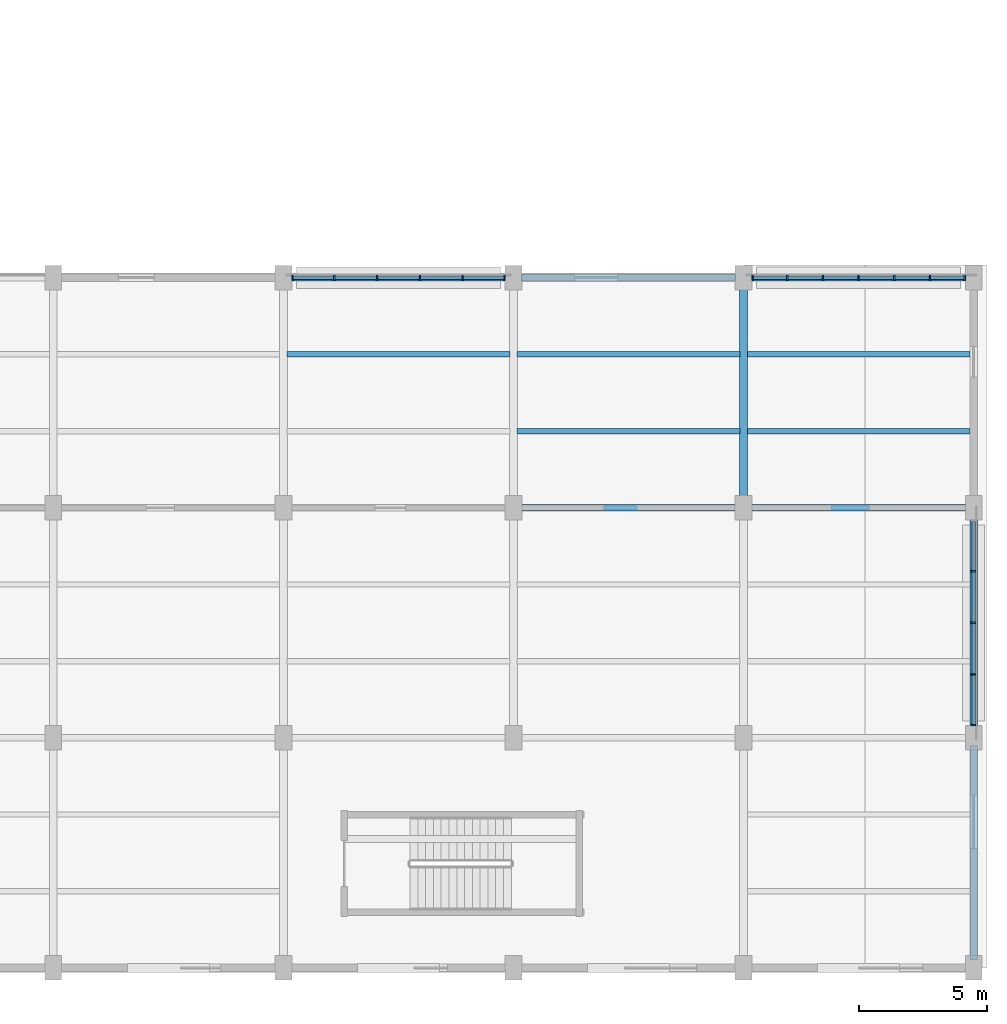
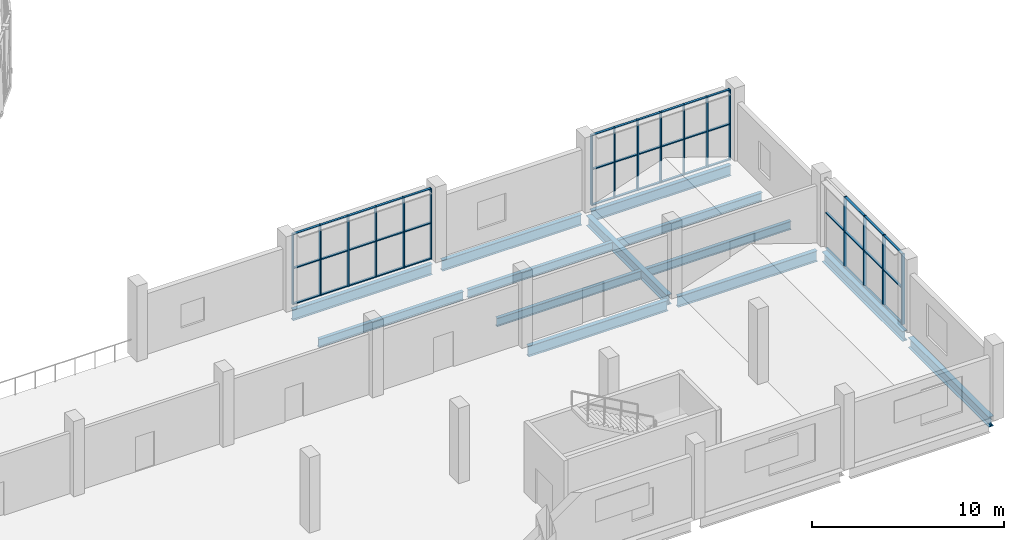
# One storey, part 37 of 179: 61 members, 13 beams, 3 elements without a shape of their own.
"""IFC4 building model written with IfcOpenShell, lengths in metres."""

from ifc_helpers import new_model, si_unit, direction, frame, origin, origin_2d, place, context, subcontext, project, spatial, rectangle, i_section, extrude, material, material_profile, profile_set, type_object, element, aggregate, save


model = new_model("IFC4")

# Units and contexts
model_context = context("Model", 3, precision=1e-05, world=origin(), true_north=direction((0.0, 1.0)))
body_context = subcontext(model_context, "Body", "Model", "MODEL_VIEW")
ifc_project = project(units=[si_unit("LENGTHUNIT", "METRE"), si_unit("AREAUNIT", "SQUARE_METRE"), si_unit("VOLUMEUNIT", "CUBIC_METRE"), si_unit("PLANEANGLEUNIT", "RADIAN"), si_unit("MASSUNIT", "GRAM", prefix="KILO")], contexts=[model_context])

# Site, building, storey
site_placement = place(None, origin())
site = spatial("IfcSite", under=ifc_project, at=site_placement, CompositionType="ELEMENT")
building_placement = place(site_placement, origin())
building = spatial("IfcBuilding", under=site, at=building_placement, Name="Zevraka Park Crest Stadium", CompositionType="ELEMENT")
storey_placement = place(building_placement, frame((0.0, 0.0, 10.199951171875)))
storey = spatial("IfcBuildingStorey", under=building, at=storey_placement, Name="L02", CompositionType="ELEMENT", Elevation=10.199951171875)

# Beams
ifc_material_1 = material(Name="Steel S355", Category="steel")
ifc_material_profile_1 = material_profile(ifc_material_1, i_section(OverallWidth=0.253662109375, OverallDepth=0.68359375, WebThickness=0.012451171875, FlangeThickness=0.01904296875, at=origin_2d()), Name="UKB 686x254x140")
ifc_profile_set_1 = profile_set([ifc_material_profile_1], Name="Steel S355")
beam_type_1 = type_object("IfcBeamType", Name="BG05", PredefinedType="BEAM", material=ifc_profile_set_1)
for number, where, z_axis, x_axis, name in (
    (1, (197.300048828125, 27.0, -0.629638671875), (1.0, 0.0, 0.0), (0.0, 1.0, 0.0), "Wing Girder BG05 L02-2223/D"),
    (2, (206.300048828125, 18.0, -0.629638671875), (1.0, 0.0, 0.0), (0.0, 1.0, 0.0), "Wing Girder BG05 L02-2324/C"),
    (3, (206.300048828125, 27.0, -0.629638671875), (1.0, 0.0, 0.0), (0.0, 1.0, 0.0), "Wing Girder BG05 L02-2324/D"),
    (4, (215.300048828125, 18.0, -0.629638671875), (1.0, 0.0, 0.0), (0.0, 1.0, 0.0), "Wing Girder BG05 L02-2425/C"),
    (5, (215.300048828125, 27.0, -0.629638671875), (1.0, 0.0, 0.0), (0.0, 1.0, 0.0), "Wing Girder BG05 L02-2425/D"),
):
    element("IfcBeam", number, at=place(storey_placement, frame(where, z_axis=z_axis, x_axis=x_axis)), inside=storey, type_object=beam_type_1, Name=name, PredefinedType="BEAM", context=body_context, shape_type="SweptSolid", body=[
        extrude(i_section(OverallWidth=0.253662109375, OverallDepth=0.68359375, WebThickness=0.012451171875, FlangeThickness=0.01904296875, at=origin_2d()), origin(), (0.0, 0.0, 1.0), 8.39990234375),
    ])
ifc_material_2 = material(Name="Steel S355", Category="steel")
ifc_material_profile_2 = material_profile(ifc_material_2, i_section(OverallWidth=0.300048828125, OverallDepth=0.64990234375, WebThickness=0.01611328125, FlangeThickness=0.031005859375, at=origin_2d()), Name="HEB 650")
ifc_profile_set_2 = profile_set([ifc_material_profile_2], Name="Steel S355")
beam_type_2 = type_object("IfcBeamType", Name="BG07", PredefinedType="BEAM", material=ifc_profile_set_2)
for number, where, z_axis, x_axis, name in (
    (6, (215.0, 18.300048828125, -0.613037109375), (0.0, 1.0, 0.0), (-1.0, 0.0, 0.0), "Wing Girder BG07 L02-24/CD"),
    (7, (224.0, 0.300048828125, -0.613037109375), (0.0, 1.0, 0.0), (-1.0, 0.0, 0.0), "Wing Girder BG07 L02-25/AB"),
    (8, (224.0, 9.300048828125, -0.613037109375), (0.0, 1.0, 0.0), (-1.0, 0.0, 0.0), "Wing Girder BG07 L02-25/BC"),
):
    element("IfcBeam", number, at=place(storey_placement, frame(where, z_axis=z_axis, x_axis=x_axis)), inside=storey, type_object=beam_type_2, Name=name, PredefinedType="BEAM", context=body_context, shape_type="SweptSolid", body=[
        extrude(i_section(OverallWidth=0.300048828125, OverallDepth=0.64990234375, WebThickness=0.01611328125, FlangeThickness=0.031005859375, at=origin_2d()), origin(), (0.0, 0.0, 1.0), 8.39990234375),
    ])

# Curtain wall, members
ifc_material_3 = material(Name="Anodised architectural aluminium and laminated safety glass", Category="aluminium")
curtain_wall_type_1 = type_object("IfcCurtainWallType", Name="CW29", PredefinedType="NOTDEFINED", material=ifc_material_3)
curtain_wall_1_placement = place(storey_placement, origin())
curtain_wall_1 = element("IfcCurtainWall", 9, at=curtain_wall_1_placement, inside=storey, type_object=curtain_wall_type_1, Name="Wing Curtain Wall CW29 L02-SE-E-2", PredefinedType="NOTDEFINED")
ifc_material_4 = material(Name="Anodised architectural aluminium", Category="aluminium")
ifc_material_profile_3 = material_profile(ifc_material_4, rectangle(XDim=0.179931640625, YDim=0.06494140625, at=origin_2d()), Name="ALU MULLION 180x65")
ifc_profile_set_3 = profile_set([ifc_material_profile_3], Name="Anodised architectural aluminium")
member_type_1 = type_object("IfcMemberType", Name="CM02", PredefinedType="MULLION", material=ifc_profile_set_3)
member_1_placement = place(storey_placement, frame((224.0, 15.517578125, 0.0), z_axis=(0.0, 0.0, 1.0), x_axis=(1.0, 0.0, 0.0)))
member_1 = element("IfcMember", 10, at=member_1_placement, type_object=member_type_1, Name="CW29 mullion 2", PredefinedType="MULLION", context=body_context, shape_type="SweptSolid", body=[
    extrude(rectangle(XDim=0.179931640625, YDim=0.06494140625, at=origin_2d()), origin(), (0.0, 0.0, 1.0), 4.5),
])
member_2_placement = place(storey_placement, frame((224.0, 13.5, 0.0), z_axis=(0.0, 0.0, 1.0), x_axis=(1.0, 0.0, 0.0)))
member_2 = element("IfcMember", 11, at=member_2_placement, type_object=member_type_1, Name="CW29 mullion 3", PredefinedType="MULLION", context=body_context, shape_type="SweptSolid", body=[
    extrude(rectangle(XDim=0.179931640625, YDim=0.06494140625, at=origin_2d()), origin(), (0.0, 0.0, 1.0), 4.5),
])
member_3_placement = place(storey_placement, frame((224.0, 11.482421875, 0.0), z_axis=(0.0, 0.0, 1.0), x_axis=(1.0, 0.0, 0.0)))
member_3 = element("IfcMember", 12, at=member_3_placement, type_object=member_type_1, Name="CW29 mullion 4", PredefinedType="MULLION", context=body_context, shape_type="SweptSolid", body=[
    extrude(rectangle(XDim=0.179931640625, YDim=0.06494140625, at=origin_2d()), origin(), (0.0, 0.0, 1.0), 4.5),
])
member_4_placement = place(storey_placement, frame((224.0, 9.49755859375, 0.0), z_axis=(0.0, 0.0, 1.0), x_axis=(1.0, 0.0, 0.0)))
member_4 = element("IfcMember", 13, at=member_4_placement, type_object=member_type_1, Name="CW29 mullion 5", PredefinedType="MULLION", context=body_context, shape_type="SweptSolid", body=[
    extrude(rectangle(XDim=0.179931640625, YDim=0.06494140625, at=origin_2d()), origin(), (0.0, 0.0, 1.0), 4.5),
])

curtain_wall_2_placement = place(storey_placement, origin())
curtain_wall_2 = element("IfcCurtainWall", 14, at=curtain_wall_2_placement, inside=storey, type_object=curtain_wall_type_1, Name="Wing Curtain Wall CW29 L02-SE-N-2", PredefinedType="NOTDEFINED")
member_5_placement = place(storey_placement, frame((197.347412109375, 27.0, 0.0), z_axis=(0.0, 0.0, 1.0), x_axis=(0.0, 1.0, 0.0)))
member_5 = element("IfcMember", 15, at=member_5_placement, type_object=member_type_1, Name="CW29 mullion 1", PredefinedType="MULLION", context=body_context, shape_type="SweptSolid", body=[
    extrude(rectangle(XDim=0.179931640625, YDim=0.06494140625, at=origin_2d()), origin(), (0.0, 0.0, 1.0), 4.5),
])
member_6_placement = place(storey_placement, frame((198.989013671875, 27.0, 0.0), z_axis=(0.0, 0.0, 1.0), x_axis=(0.0, 1.0, 0.0)))
member_6 = element("IfcMember", 16, at=member_6_placement, type_object=member_type_1, Name="CW29 mullion 2", PredefinedType="MULLION", context=body_context, shape_type="SweptSolid", body=[
    extrude(rectangle(XDim=0.179931640625, YDim=0.06494140625, at=origin_2d()), origin(), (0.0, 0.0, 1.0), 4.5),
])
member_7_placement = place(storey_placement, frame((200.6630859375, 27.0, 0.0), z_axis=(0.0, 0.0, 1.0), x_axis=(0.0, 1.0, 0.0)))
member_7 = element("IfcMember", 17, at=member_7_placement, type_object=member_type_1, Name="CW29 mullion 3", PredefinedType="MULLION", context=body_context, shape_type="SweptSolid", body=[
    extrude(rectangle(XDim=0.179931640625, YDim=0.06494140625, at=origin_2d()), origin(), (0.0, 0.0, 1.0), 4.5),
])
member_8_placement = place(storey_placement, frame((202.3369140625, 27.0, 0.0), z_axis=(0.0, 0.0, 1.0), x_axis=(0.0, 1.0, 0.0)))
member_8 = element("IfcMember", 18, at=member_8_placement, type_object=member_type_1, Name="CW29 mullion 4", PredefinedType="MULLION", context=body_context, shape_type="SweptSolid", body=[
    extrude(rectangle(XDim=0.179931640625, YDim=0.06494140625, at=origin_2d()), origin(), (0.0, 0.0, 1.0), 4.5),
])
member_9_placement = place(storey_placement, frame((204.010986328125, 27.0, 0.0), z_axis=(0.0, 0.0, 1.0), x_axis=(0.0, 1.0, 0.0)))
member_9 = element("IfcMember", 19, at=member_9_placement, type_object=member_type_1, Name="CW29 mullion 5", PredefinedType="MULLION", context=body_context, shape_type="SweptSolid", body=[
    extrude(rectangle(XDim=0.179931640625, YDim=0.06494140625, at=origin_2d()), origin(), (0.0, 0.0, 1.0), 4.5),
])
member_10_placement = place(storey_placement, frame((205.652587890625, 27.0, 0.0), z_axis=(0.0, 0.0, 1.0), x_axis=(0.0, 1.0, 0.0)))
member_10 = element("IfcMember", 20, at=member_10_placement, type_object=member_type_1, Name="CW29 mullion 6", PredefinedType="MULLION", context=body_context, shape_type="SweptSolid", body=[
    extrude(rectangle(XDim=0.179931640625, YDim=0.06494140625, at=origin_2d()), origin(), (0.0, 0.0, 1.0), 4.5),
])

ifc_material_5 = material(Name="Anodised architectural aluminium and laminated safety glass", Category="aluminium")
curtain_wall_type_2 = type_object("IfcCurtainWallType", Name="CW26", PredefinedType="NOTDEFINED", material=ifc_material_5)
curtain_wall_3_placement = place(storey_placement, origin())
curtain_wall_3 = element("IfcCurtainWall", 21, at=curtain_wall_3_placement, inside=storey, type_object=curtain_wall_type_2, Name="Wing Curtain Wall CW26 L02-SE-N-4", PredefinedType="NOTDEFINED")
member_11_placement = place(storey_placement, frame((215.347412109375, 27.0, 0.0), z_axis=(0.0, 0.0, 1.0), x_axis=(0.0, 1.0, 0.0)))
member_11 = element("IfcMember", 22, at=member_11_placement, type_object=member_type_1, Name="CW26 mullion 1", PredefinedType="MULLION", context=body_context, shape_type="SweptSolid", body=[
    extrude(rectangle(XDim=0.179931640625, YDim=0.06494140625, at=origin_2d()), origin(), (0.0, 0.0, 1.0), 4.5),
])
member_12_placement = place(storey_placement, frame((216.7099609375, 27.0, 0.0), z_axis=(0.0, 0.0, 1.0), x_axis=(0.0, 1.0, 0.0)))
member_12 = element("IfcMember", 23, at=member_12_placement, type_object=member_type_1, Name="CW26 mullion 2", PredefinedType="MULLION", context=body_context, shape_type="SweptSolid", body=[
    extrude(rectangle(XDim=0.179931640625, YDim=0.06494140625, at=origin_2d()), origin(), (0.0, 0.0, 1.0), 4.5),
])
member_13_placement = place(storey_placement, frame((218.10498046875, 27.0, 0.0), z_axis=(0.0, 0.0, 1.0), x_axis=(0.0, 1.0, 0.0)))
member_13 = element("IfcMember", 24, at=member_13_placement, type_object=member_type_1, Name="CW26 mullion 3", PredefinedType="MULLION", context=body_context, shape_type="SweptSolid", body=[
    extrude(rectangle(XDim=0.179931640625, YDim=0.06494140625, at=origin_2d()), origin(), (0.0, 0.0, 1.0), 4.5),
])
member_14_placement = place(storey_placement, frame((219.5, 27.0, 0.0), z_axis=(0.0, 0.0, 1.0), x_axis=(0.0, 1.0, 0.0)))
member_14 = element("IfcMember", 25, at=member_14_placement, type_object=member_type_1, Name="CW26 mullion 4", PredefinedType="MULLION", context=body_context, shape_type="SweptSolid", body=[
    extrude(rectangle(XDim=0.179931640625, YDim=0.06494140625, at=origin_2d()), origin(), (0.0, 0.0, 1.0), 4.5),
])
member_15_placement = place(storey_placement, frame((220.89501953125, 27.0, 0.0), z_axis=(0.0, 0.0, 1.0), x_axis=(0.0, 1.0, 0.0)))
member_15 = element("IfcMember", 26, at=member_15_placement, type_object=member_type_1, Name="CW26 mullion 5", PredefinedType="MULLION", context=body_context, shape_type="SweptSolid", body=[
    extrude(rectangle(XDim=0.179931640625, YDim=0.06494140625, at=origin_2d()), origin(), (0.0, 0.0, 1.0), 4.5),
])
member_16_placement = place(storey_placement, frame((222.2900390625, 27.0, 0.0), z_axis=(0.0, 0.0, 1.0), x_axis=(0.0, 1.0, 0.0)))
member_16 = element("IfcMember", 27, at=member_16_placement, type_object=member_type_1, Name="CW26 mullion 6", PredefinedType="MULLION", context=body_context, shape_type="SweptSolid", body=[
    extrude(rectangle(XDim=0.179931640625, YDim=0.06494140625, at=origin_2d()), origin(), (0.0, 0.0, 1.0), 4.5),
])
member_17_placement = place(storey_placement, frame((223.652587890625, 27.0, 0.0), z_axis=(0.0, 0.0, 1.0), x_axis=(0.0, 1.0, 0.0)))
member_17 = element("IfcMember", 28, at=member_17_placement, type_object=member_type_1, Name="CW26 mullion 7", PredefinedType="MULLION", context=body_context, shape_type="SweptSolid", body=[
    extrude(rectangle(XDim=0.179931640625, YDim=0.06494140625, at=origin_2d()), origin(), (0.0, 0.0, 1.0), 4.5),
])

# Member
ifc_material_6 = material(Name="Anodised architectural aluminium", Category="aluminium")
ifc_material_profile_4 = material_profile(ifc_material_6, rectangle(XDim=0.139892578125, YDim=0.06494140625, at=origin_2d()), Name="ALU TRANSOM 140x65")
ifc_profile_set_4 = profile_set([ifc_material_profile_4], Name="Anodised architectural aluminium")
member_type_2 = type_object("IfcMemberType", Name="CT02", PredefinedType="USERDEFINED", material=ifc_profile_set_4)
member_18_placement = place(storey_placement, frame((224.0, 17.469970703125, 0.032470703125), z_axis=(0.0, -1.0, 0.0), x_axis=(1.0, 0.0, 0.0)))
member_18 = element("IfcMember", 29, at=member_18_placement, type_object=member_type_2, Name="CW29 transom 1.1", ObjectType="TRANSOM", PredefinedType="USERDEFINED", context=body_context, shape_type="SweptSolid", body=[
    extrude(rectangle(XDim=0.139892578125, YDim=0.06494140625, at=origin_2d()), origin(), (0.0, 0.0, 1.0), 1.919921875),
])

member_19_placement = place(storey_placement, frame((224.0, 17.469970703125, 2.300048828125), z_axis=(0.0, -1.0, 0.0), x_axis=(1.0, 0.0, 0.0)))
member_19 = element("IfcMember", 30, at=member_19_placement, type_object=member_type_2, Name="CW29 transom 1.2", ObjectType="TRANSOM", PredefinedType="USERDEFINED", context=body_context, shape_type="SweptSolid", body=[
    extrude(rectangle(XDim=0.139892578125, YDim=0.06494140625, at=origin_2d()), origin(), (0.0, 0.0, 1.0), 1.919921875),
])

member_20_placement = place(storey_placement, frame((224.0, 15.485107421875, 0.032470703125), z_axis=(0.0, -1.0, 0.0), x_axis=(1.0, 0.0, 0.0)))
member_20 = element("IfcMember", 31, at=member_20_placement, type_object=member_type_2, Name="CW29 transom 2.1", ObjectType="TRANSOM", PredefinedType="USERDEFINED", context=body_context, shape_type="SweptSolid", body=[
    extrude(rectangle(XDim=0.139892578125, YDim=0.06494140625, at=origin_2d()), origin(), (0.0, 0.0, 1.0), 1.95263671875),
])

member_21_placement = place(storey_placement, frame((224.0, 15.485107421875, 2.300048828125), z_axis=(0.0, -1.0, 0.0), x_axis=(1.0, 0.0, 0.0)))
member_21 = element("IfcMember", 32, at=member_21_placement, type_object=member_type_2, Name="CW29 transom 2.2", ObjectType="TRANSOM", PredefinedType="USERDEFINED", context=body_context, shape_type="SweptSolid", body=[
    extrude(rectangle(XDim=0.139892578125, YDim=0.06494140625, at=origin_2d()), origin(), (0.0, 0.0, 1.0), 1.95263671875),
])

member_22_placement = place(storey_placement, frame((224.0, 15.485107421875, 4.467529296875), z_axis=(0.0, -1.0, 0.0), x_axis=(1.0, 0.0, 0.0)))
member_22 = element("IfcMember", 33, at=member_22_placement, type_object=member_type_2, Name="CW29 transom 2.3", ObjectType="TRANSOM", PredefinedType="USERDEFINED", context=body_context, shape_type="SweptSolid", body=[
    extrude(rectangle(XDim=0.139892578125, YDim=0.06494140625, at=origin_2d()), origin(), (0.0, 0.0, 1.0), 1.95263671875),
])

member_23_placement = place(storey_placement, frame((224.0, 13.467529296875, 0.032470703125), z_axis=(0.0, -1.0, 0.0), x_axis=(1.0, 0.0, 0.0)))
member_23 = element("IfcMember", 34, at=member_23_placement, type_object=member_type_2, Name="CW29 transom 3.1", ObjectType="TRANSOM", PredefinedType="USERDEFINED", context=body_context, shape_type="SweptSolid", body=[
    extrude(rectangle(XDim=0.139892578125, YDim=0.06494140625, at=origin_2d()), origin(), (0.0, 0.0, 1.0), 1.95263671875),
])

member_24_placement = place(storey_placement, frame((224.0, 13.467529296875, 2.300048828125), z_axis=(0.0, -1.0, 0.0), x_axis=(1.0, 0.0, 0.0)))
member_24 = element("IfcMember", 35, at=member_24_placement, type_object=member_type_2, Name="CW29 transom 3.2", ObjectType="TRANSOM", PredefinedType="USERDEFINED", context=body_context, shape_type="SweptSolid", body=[
    extrude(rectangle(XDim=0.139892578125, YDim=0.06494140625, at=origin_2d()), origin(), (0.0, 0.0, 1.0), 1.95263671875),
])

member_25_placement = place(storey_placement, frame((224.0, 13.467529296875, 4.467529296875), z_axis=(0.0, -1.0, 0.0), x_axis=(1.0, 0.0, 0.0)))
member_25 = element("IfcMember", 36, at=member_25_placement, type_object=member_type_2, Name="CW29 transom 3.3", ObjectType="TRANSOM", PredefinedType="USERDEFINED", context=body_context, shape_type="SweptSolid", body=[
    extrude(rectangle(XDim=0.139892578125, YDim=0.06494140625, at=origin_2d()), origin(), (0.0, 0.0, 1.0), 1.95263671875),
])

member_26_placement = place(storey_placement, frame((224.0, 11.449951171875, 0.032470703125), z_axis=(0.0, -1.0, 0.0), x_axis=(1.0, 0.0, 0.0)))
member_26 = element("IfcMember", 37, at=member_26_placement, type_object=member_type_2, Name="CW29 transom 4.1", ObjectType="TRANSOM", PredefinedType="USERDEFINED", context=body_context, shape_type="SweptSolid", body=[
    extrude(rectangle(XDim=0.139892578125, YDim=0.06494140625, at=origin_2d()), origin(), (0.0, 0.0, 1.0), 1.919921875),
])

member_27_placement = place(storey_placement, frame((224.0, 11.449951171875, 2.300048828125), z_axis=(0.0, -1.0, 0.0), x_axis=(1.0, 0.0, 0.0)))
member_27 = element("IfcMember", 38, at=member_27_placement, type_object=member_type_2, Name="CW29 transom 4.2", ObjectType="TRANSOM", PredefinedType="USERDEFINED", context=body_context, shape_type="SweptSolid", body=[
    extrude(rectangle(XDim=0.139892578125, YDim=0.06494140625, at=origin_2d()), origin(), (0.0, 0.0, 1.0), 1.919921875),
])

member_28_placement = place(storey_placement, frame((224.0, 11.449951171875, 4.467529296875), z_axis=(0.0, -1.0, 0.0), x_axis=(1.0, 0.0, 0.0)))
member_28 = element("IfcMember", 39, at=member_28_placement, type_object=member_type_2, Name="CW29 transom 4.3", ObjectType="TRANSOM", PredefinedType="USERDEFINED", context=body_context, shape_type="SweptSolid", body=[
    extrude(rectangle(XDim=0.139892578125, YDim=0.06494140625, at=origin_2d()), origin(), (0.0, 0.0, 1.0), 1.919921875),
])

aggregate(curtain_wall_1, [member_1, member_2, member_3, member_4, member_18, member_19, member_20, member_21, member_22, member_23, member_24, member_25, member_26, member_27, member_28])

member_29_placement = place(storey_placement, frame((197.3798828125, 27.0, 0.032470703125), z_axis=(1.0, 0.0, 0.0), x_axis=(0.0, 1.0, 0.0)))
member_29 = element("IfcMember", 40, at=member_29_placement, type_object=member_type_2, Name="CW29 transom 1.1", ObjectType="TRANSOM", PredefinedType="USERDEFINED", context=body_context, shape_type="SweptSolid", body=[
    extrude(rectangle(XDim=0.139892578125, YDim=0.06494140625, at=origin_2d()), origin(), (0.0, 0.0, 1.0), 1.57666015625),
])

member_30_placement = place(storey_placement, frame((197.3798828125, 27.0, 2.300048828125), z_axis=(1.0, 0.0, 0.0), x_axis=(0.0, 1.0, 0.0)))
member_30 = element("IfcMember", 41, at=member_30_placement, type_object=member_type_2, Name="CW29 transom 1.2", ObjectType="TRANSOM", PredefinedType="USERDEFINED", context=body_context, shape_type="SweptSolid", body=[
    extrude(rectangle(XDim=0.139892578125, YDim=0.06494140625, at=origin_2d()), origin(), (0.0, 0.0, 1.0), 1.57666015625),
])

member_31_placement = place(storey_placement, frame((197.3798828125, 27.0, 4.467529296875), z_axis=(1.0, 0.0, 0.0), x_axis=(0.0, 1.0, 0.0)))
member_31 = element("IfcMember", 42, at=member_31_placement, type_object=member_type_2, Name="CW29 transom 1.3", ObjectType="TRANSOM", PredefinedType="USERDEFINED", context=body_context, shape_type="SweptSolid", body=[
    extrude(rectangle(XDim=0.139892578125, YDim=0.06494140625, at=origin_2d()), origin(), (0.0, 0.0, 1.0), 1.57666015625),
])

member_32_placement = place(storey_placement, frame((199.021484375, 27.0, 0.032470703125), z_axis=(1.0, 0.0, 0.0), x_axis=(0.0, 1.0, 0.0)))
member_32 = element("IfcMember", 43, at=member_32_placement, type_object=member_type_2, Name="CW29 transom 2.1", ObjectType="TRANSOM", PredefinedType="USERDEFINED", context=body_context, shape_type="SweptSolid", body=[
    extrude(rectangle(XDim=0.139892578125, YDim=0.06494140625, at=origin_2d()), origin(), (0.0, 0.0, 1.0), 1.609130859375),
])

member_33_placement = place(storey_placement, frame((199.021484375, 27.0, 2.300048828125), z_axis=(1.0, 0.0, 0.0), x_axis=(0.0, 1.0, 0.0)))
member_33 = element("IfcMember", 44, at=member_33_placement, type_object=member_type_2, Name="CW29 transom 2.2", ObjectType="TRANSOM", PredefinedType="USERDEFINED", context=body_context, shape_type="SweptSolid", body=[
    extrude(rectangle(XDim=0.139892578125, YDim=0.06494140625, at=origin_2d()), origin(), (0.0, 0.0, 1.0), 1.609130859375),
])

member_34_placement = place(storey_placement, frame((199.021484375, 27.0, 4.467529296875), z_axis=(1.0, 0.0, 0.0), x_axis=(0.0, 1.0, 0.0)))
member_34 = element("IfcMember", 45, at=member_34_placement, type_object=member_type_2, Name="CW29 transom 2.3", ObjectType="TRANSOM", PredefinedType="USERDEFINED", context=body_context, shape_type="SweptSolid", body=[
    extrude(rectangle(XDim=0.139892578125, YDim=0.06494140625, at=origin_2d()), origin(), (0.0, 0.0, 1.0), 1.609130859375),
])

member_35_placement = place(storey_placement, frame((200.695556640625, 27.0, 0.032470703125), z_axis=(1.0, 0.0, 0.0), x_axis=(0.0, 1.0, 0.0)))
member_35 = element("IfcMember", 46, at=member_35_placement, type_object=member_type_2, Name="CW29 transom 3.1", ObjectType="TRANSOM", PredefinedType="USERDEFINED", context=body_context, shape_type="SweptSolid", body=[
    extrude(rectangle(XDim=0.139892578125, YDim=0.06494140625, at=origin_2d()), origin(), (0.0, 0.0, 1.0), 1.60888671875),
])

member_36_placement = place(storey_placement, frame((200.695556640625, 27.0, 2.300048828125), z_axis=(1.0, 0.0, 0.0), x_axis=(0.0, 1.0, 0.0)))
member_36 = element("IfcMember", 47, at=member_36_placement, type_object=member_type_2, Name="CW29 transom 3.2", ObjectType="TRANSOM", PredefinedType="USERDEFINED", context=body_context, shape_type="SweptSolid", body=[
    extrude(rectangle(XDim=0.139892578125, YDim=0.06494140625, at=origin_2d()), origin(), (0.0, 0.0, 1.0), 1.60888671875),
])

member_37_placement = place(storey_placement, frame((200.695556640625, 27.0, 4.467529296875), z_axis=(1.0, 0.0, 0.0), x_axis=(0.0, 1.0, 0.0)))
member_37 = element("IfcMember", 48, at=member_37_placement, type_object=member_type_2, Name="CW29 transom 3.3", ObjectType="TRANSOM", PredefinedType="USERDEFINED", context=body_context, shape_type="SweptSolid", body=[
    extrude(rectangle(XDim=0.139892578125, YDim=0.06494140625, at=origin_2d()), origin(), (0.0, 0.0, 1.0), 1.60888671875),
])

member_38_placement = place(storey_placement, frame((202.369384765625, 27.0, 0.032470703125), z_axis=(1.0, 0.0, 0.0), x_axis=(0.0, 1.0, 0.0)))
member_38 = element("IfcMember", 49, at=member_38_placement, type_object=member_type_2, Name="CW29 transom 4.1", ObjectType="TRANSOM", PredefinedType="USERDEFINED", context=body_context, shape_type="SweptSolid", body=[
    extrude(rectangle(XDim=0.139892578125, YDim=0.06494140625, at=origin_2d()), origin(), (0.0, 0.0, 1.0), 1.609130859375),
])

member_39_placement = place(storey_placement, frame((202.369384765625, 27.0, 2.300048828125), z_axis=(1.0, 0.0, 0.0), x_axis=(0.0, 1.0, 0.0)))
member_39 = element("IfcMember", 50, at=member_39_placement, type_object=member_type_2, Name="CW29 transom 4.2", ObjectType="TRANSOM", PredefinedType="USERDEFINED", context=body_context, shape_type="SweptSolid", body=[
    extrude(rectangle(XDim=0.139892578125, YDim=0.06494140625, at=origin_2d()), origin(), (0.0, 0.0, 1.0), 1.609130859375),
])

member_40_placement = place(storey_placement, frame((202.369384765625, 27.0, 4.467529296875), z_axis=(1.0, 0.0, 0.0), x_axis=(0.0, 1.0, 0.0)))
member_40 = element("IfcMember", 51, at=member_40_placement, type_object=member_type_2, Name="CW29 transom 4.3", ObjectType="TRANSOM", PredefinedType="USERDEFINED", context=body_context, shape_type="SweptSolid", body=[
    extrude(rectangle(XDim=0.139892578125, YDim=0.06494140625, at=origin_2d()), origin(), (0.0, 0.0, 1.0), 1.609130859375),
])

member_41_placement = place(storey_placement, frame((204.04345703125, 27.0, 0.032470703125), z_axis=(1.0, 0.0, 0.0), x_axis=(0.0, 1.0, 0.0)))
member_41 = element("IfcMember", 52, at=member_41_placement, type_object=member_type_2, Name="CW29 transom 5.1", ObjectType="TRANSOM", PredefinedType="USERDEFINED", context=body_context, shape_type="SweptSolid", body=[
    extrude(rectangle(XDim=0.139892578125, YDim=0.06494140625, at=origin_2d()), origin(), (0.0, 0.0, 1.0), 1.57666015625),
])

member_42_placement = place(storey_placement, frame((204.04345703125, 27.0, 2.300048828125), z_axis=(1.0, 0.0, 0.0), x_axis=(0.0, 1.0, 0.0)))
member_42 = element("IfcMember", 53, at=member_42_placement, type_object=member_type_2, Name="CW29 transom 5.2", ObjectType="TRANSOM", PredefinedType="USERDEFINED", context=body_context, shape_type="SweptSolid", body=[
    extrude(rectangle(XDim=0.139892578125, YDim=0.06494140625, at=origin_2d()), origin(), (0.0, 0.0, 1.0), 1.57666015625),
])

member_43_placement = place(storey_placement, frame((204.04345703125, 27.0, 4.467529296875), z_axis=(1.0, 0.0, 0.0), x_axis=(0.0, 1.0, 0.0)))
member_43 = element("IfcMember", 54, at=member_43_placement, type_object=member_type_2, Name="CW29 transom 5.3", ObjectType="TRANSOM", PredefinedType="USERDEFINED", context=body_context, shape_type="SweptSolid", body=[
    extrude(rectangle(XDim=0.139892578125, YDim=0.06494140625, at=origin_2d()), origin(), (0.0, 0.0, 1.0), 1.57666015625),
])

aggregate(curtain_wall_2, [member_5, member_6, member_7, member_8, member_9, member_10, member_29, member_30, member_31, member_32, member_33, member_34, member_35, member_36, member_37, member_38, member_39, member_40, member_41, member_42, member_43])

member_44_placement = place(storey_placement, frame((215.3798828125, 27.0, 0.032470703125), z_axis=(1.0, 0.0, 0.0), x_axis=(0.0, 1.0, 0.0)))
member_44 = element("IfcMember", 55, at=member_44_placement, type_object=member_type_2, Name="CW26 transom 1.1", ObjectType="TRANSOM", PredefinedType="USERDEFINED", context=body_context, shape_type="SweptSolid", body=[
    extrude(rectangle(XDim=0.139892578125, YDim=0.06494140625, at=origin_2d()), origin(), (0.0, 0.0, 1.0), 1.297607421875),
])

member_45_placement = place(storey_placement, frame((215.3798828125, 27.0, 2.300048828125), z_axis=(1.0, 0.0, 0.0), x_axis=(0.0, 1.0, 0.0)))
member_45 = element("IfcMember", 56, at=member_45_placement, type_object=member_type_2, Name="CW26 transom 1.2", ObjectType="TRANSOM", PredefinedType="USERDEFINED", context=body_context, shape_type="SweptSolid", body=[
    extrude(rectangle(XDim=0.139892578125, YDim=0.06494140625, at=origin_2d()), origin(), (0.0, 0.0, 1.0), 1.297607421875),
])

member_46_placement = place(storey_placement, frame((215.3798828125, 27.0, 4.467529296875), z_axis=(1.0, 0.0, 0.0), x_axis=(0.0, 1.0, 0.0)))
member_46 = element("IfcMember", 57, at=member_46_placement, type_object=member_type_2, Name="CW26 transom 1.3", ObjectType="TRANSOM", PredefinedType="USERDEFINED", context=body_context, shape_type="SweptSolid", body=[
    extrude(rectangle(XDim=0.139892578125, YDim=0.06494140625, at=origin_2d()), origin(), (0.0, 0.0, 1.0), 1.297607421875),
])

member_47_placement = place(storey_placement, frame((216.742431640625, 27.0, 0.032470703125), z_axis=(1.0, 0.0, 0.0), x_axis=(0.0, 1.0, 0.0)))
member_47 = element("IfcMember", 58, at=member_47_placement, type_object=member_type_2, Name="CW26 transom 2.1", ObjectType="TRANSOM", PredefinedType="USERDEFINED", context=body_context, shape_type="SweptSolid", body=[
    extrude(rectangle(XDim=0.139892578125, YDim=0.06494140625, at=origin_2d()), origin(), (0.0, 0.0, 1.0), 1.330078125),
])

member_48_placement = place(storey_placement, frame((216.742431640625, 27.0, 2.300048828125), z_axis=(1.0, 0.0, 0.0), x_axis=(0.0, 1.0, 0.0)))
member_48 = element("IfcMember", 59, at=member_48_placement, type_object=member_type_2, Name="CW26 transom 2.2", ObjectType="TRANSOM", PredefinedType="USERDEFINED", context=body_context, shape_type="SweptSolid", body=[
    extrude(rectangle(XDim=0.139892578125, YDim=0.06494140625, at=origin_2d()), origin(), (0.0, 0.0, 1.0), 1.330078125),
])

member_49_placement = place(storey_placement, frame((216.742431640625, 27.0, 4.467529296875), z_axis=(1.0, 0.0, 0.0), x_axis=(0.0, 1.0, 0.0)))
member_49 = element("IfcMember", 60, at=member_49_placement, type_object=member_type_2, Name="CW26 transom 2.3", ObjectType="TRANSOM", PredefinedType="USERDEFINED", context=body_context, shape_type="SweptSolid", body=[
    extrude(rectangle(XDim=0.139892578125, YDim=0.06494140625, at=origin_2d()), origin(), (0.0, 0.0, 1.0), 1.330078125),
])

member_50_placement = place(storey_placement, frame((218.137451171875, 27.0, 0.032470703125), z_axis=(1.0, 0.0, 0.0), x_axis=(0.0, 1.0, 0.0)))
member_50 = element("IfcMember", 61, at=member_50_placement, type_object=member_type_2, Name="CW26 transom 3.1", ObjectType="TRANSOM", PredefinedType="USERDEFINED", context=body_context, shape_type="SweptSolid", body=[
    extrude(rectangle(XDim=0.139892578125, YDim=0.06494140625, at=origin_2d()), origin(), (0.0, 0.0, 1.0), 1.330078125),
])

member_51_placement = place(storey_placement, frame((218.137451171875, 27.0, 2.300048828125), z_axis=(1.0, 0.0, 0.0), x_axis=(0.0, 1.0, 0.0)))
member_51 = element("IfcMember", 62, at=member_51_placement, type_object=member_type_2, Name="CW26 transom 3.2", ObjectType="TRANSOM", PredefinedType="USERDEFINED", context=body_context, shape_type="SweptSolid", body=[
    extrude(rectangle(XDim=0.139892578125, YDim=0.06494140625, at=origin_2d()), origin(), (0.0, 0.0, 1.0), 1.330078125),
])

member_52_placement = place(storey_placement, frame((218.137451171875, 27.0, 4.467529296875), z_axis=(1.0, 0.0, 0.0), x_axis=(0.0, 1.0, 0.0)))
member_52 = element("IfcMember", 63, at=member_52_placement, type_object=member_type_2, Name="CW26 transom 3.3", ObjectType="TRANSOM", PredefinedType="USERDEFINED", context=body_context, shape_type="SweptSolid", body=[
    extrude(rectangle(XDim=0.139892578125, YDim=0.06494140625, at=origin_2d()), origin(), (0.0, 0.0, 1.0), 1.330078125),
])

member_53_placement = place(storey_placement, frame((219.532470703125, 27.0, 0.032470703125), z_axis=(1.0, 0.0, 0.0), x_axis=(0.0, 1.0, 0.0)))
member_53 = element("IfcMember", 64, at=member_53_placement, type_object=member_type_2, Name="CW26 transom 4.1", ObjectType="TRANSOM", PredefinedType="USERDEFINED", context=body_context, shape_type="SweptSolid", body=[
    extrude(rectangle(XDim=0.139892578125, YDim=0.06494140625, at=origin_2d()), origin(), (0.0, 0.0, 1.0), 1.330078125),
])

member_54_placement = place(storey_placement, frame((219.532470703125, 27.0, 2.300048828125), z_axis=(1.0, 0.0, 0.0), x_axis=(0.0, 1.0, 0.0)))
member_54 = element("IfcMember", 65, at=member_54_placement, type_object=member_type_2, Name="CW26 transom 4.2", ObjectType="TRANSOM", PredefinedType="USERDEFINED", context=body_context, shape_type="SweptSolid", body=[
    extrude(rectangle(XDim=0.139892578125, YDim=0.06494140625, at=origin_2d()), origin(), (0.0, 0.0, 1.0), 1.330078125),
])

member_55_placement = place(storey_placement, frame((219.532470703125, 27.0, 4.467529296875), z_axis=(1.0, 0.0, 0.0), x_axis=(0.0, 1.0, 0.0)))
member_55 = element("IfcMember", 66, at=member_55_placement, type_object=member_type_2, Name="CW26 transom 4.3", ObjectType="TRANSOM", PredefinedType="USERDEFINED", context=body_context, shape_type="SweptSolid", body=[
    extrude(rectangle(XDim=0.139892578125, YDim=0.06494140625, at=origin_2d()), origin(), (0.0, 0.0, 1.0), 1.330078125),
])

member_56_placement = place(storey_placement, frame((220.927490234375, 27.0, 0.032470703125), z_axis=(1.0, 0.0, 0.0), x_axis=(0.0, 1.0, 0.0)))
member_56 = element("IfcMember", 67, at=member_56_placement, type_object=member_type_2, Name="CW26 transom 5.1", ObjectType="TRANSOM", PredefinedType="USERDEFINED", context=body_context, shape_type="SweptSolid", body=[
    extrude(rectangle(XDim=0.139892578125, YDim=0.06494140625, at=origin_2d()), origin(), (0.0, 0.0, 1.0), 1.330078125),
])

member_57_placement = place(storey_placement, frame((220.927490234375, 27.0, 2.300048828125), z_axis=(1.0, 0.0, 0.0), x_axis=(0.0, 1.0, 0.0)))
member_57 = element("IfcMember", 68, at=member_57_placement, type_object=member_type_2, Name="CW26 transom 5.2", ObjectType="TRANSOM", PredefinedType="USERDEFINED", context=body_context, shape_type="SweptSolid", body=[
    extrude(rectangle(XDim=0.139892578125, YDim=0.06494140625, at=origin_2d()), origin(), (0.0, 0.0, 1.0), 1.330078125),
])

member_58_placement = place(storey_placement, frame((220.927490234375, 27.0, 4.467529296875), z_axis=(1.0, 0.0, 0.0), x_axis=(0.0, 1.0, 0.0)))
member_58 = element("IfcMember", 69, at=member_58_placement, type_object=member_type_2, Name="CW26 transom 5.3", ObjectType="TRANSOM", PredefinedType="USERDEFINED", context=body_context, shape_type="SweptSolid", body=[
    extrude(rectangle(XDim=0.139892578125, YDim=0.06494140625, at=origin_2d()), origin(), (0.0, 0.0, 1.0), 1.330078125),
])

member_59_placement = place(storey_placement, frame((222.322509765625, 27.0, 0.032470703125), z_axis=(1.0, 0.0, 0.0), x_axis=(0.0, 1.0, 0.0)))
member_59 = element("IfcMember", 70, at=member_59_placement, type_object=member_type_2, Name="CW26 transom 6.1", ObjectType="TRANSOM", PredefinedType="USERDEFINED", context=body_context, shape_type="SweptSolid", body=[
    extrude(rectangle(XDim=0.139892578125, YDim=0.06494140625, at=origin_2d()), origin(), (0.0, 0.0, 1.0), 1.297607421875),
])

member_60_placement = place(storey_placement, frame((222.322509765625, 27.0, 2.300048828125), z_axis=(1.0, 0.0, 0.0), x_axis=(0.0, 1.0, 0.0)))
member_60 = element("IfcMember", 71, at=member_60_placement, type_object=member_type_2, Name="CW26 transom 6.2", ObjectType="TRANSOM", PredefinedType="USERDEFINED", context=body_context, shape_type="SweptSolid", body=[
    extrude(rectangle(XDim=0.139892578125, YDim=0.06494140625, at=origin_2d()), origin(), (0.0, 0.0, 1.0), 1.297607421875),
])

member_61_placement = place(storey_placement, frame((222.322509765625, 27.0, 4.467529296875), z_axis=(1.0, 0.0, 0.0), x_axis=(0.0, 1.0, 0.0)))
member_61 = element("IfcMember", 72, at=member_61_placement, type_object=member_type_2, Name="CW26 transom 6.3", ObjectType="TRANSOM", PredefinedType="USERDEFINED", context=body_context, shape_type="SweptSolid", body=[
    extrude(rectangle(XDim=0.139892578125, YDim=0.06494140625, at=origin_2d()), origin(), (0.0, 0.0, 1.0), 1.297607421875),
])

aggregate(curtain_wall_3, [member_11, member_12, member_13, member_14, member_15, member_16, member_17, member_44, member_45, member_46, member_47, member_48, member_49, member_50, member_51, member_52, member_53, member_54, member_55, member_56, member_57, member_58, member_59, member_60, member_61])

# Beams
ifc_material_7 = material(Name="Steel S355", Category="steel")
ifc_material_profile_5 = material_profile(ifc_material_7, i_section(OverallWidth=0.209228515625, OverallDepth=0.533203125, WebThickness=0.010009765625, FlangeThickness=0.015625, at=origin_2d()), Name="UKB 533x210x92")
ifc_profile_set_5 = profile_set([ifc_material_profile_5], Name="Steel S355")
beam_type_3 = type_object("IfcBeamType", Name="SJ05", PredefinedType="JOIST", material=ifc_profile_set_5)
for number, where, z_axis, x_axis, name in (
    (73, (197.14501953125, 24.0, -0.556396484375), (1.0, 0.0, 0.0), (0.0, 1.0, 0.0), "Wing Joist SJ05 L02-22/C-2"),
    (74, (206.14501953125, 21.0, -0.556396484375), (1.0, 0.0, 0.0), (0.0, 1.0, 0.0), "Wing Joist SJ05 L02-23/C-1"),
    (75, (206.14501953125, 24.0, -0.556396484375), (1.0, 0.0, 0.0), (0.0, 1.0, 0.0), "Wing Joist SJ05 L02-23/C-2"),
    (76, (215.14501953125, 21.0, -0.556396484375), (1.0, 0.0, 0.0), (0.0, 1.0, 0.0), "Wing Joist SJ05 L02-24/C-1"),
    (77, (215.14501953125, 24.0, -0.556396484375), (1.0, 0.0, 0.0), (0.0, 1.0, 0.0), "Wing Joist SJ05 L02-24/C-2"),
):
    element("IfcBeam", number, at=place(storey_placement, frame(where, z_axis=z_axis, x_axis=x_axis)), inside=storey, type_object=beam_type_3, Name=name, PredefinedType="JOIST", context=body_context, shape_type="SweptSolid", body=[
        extrude(i_section(OverallWidth=0.209228515625, OverallDepth=0.533203125, WebThickness=0.010009765625, FlangeThickness=0.015625, at=origin_2d()), origin(), (0.0, 0.0, 1.0), 8.7099609375),
    ])

save(model, "model.ifc")
